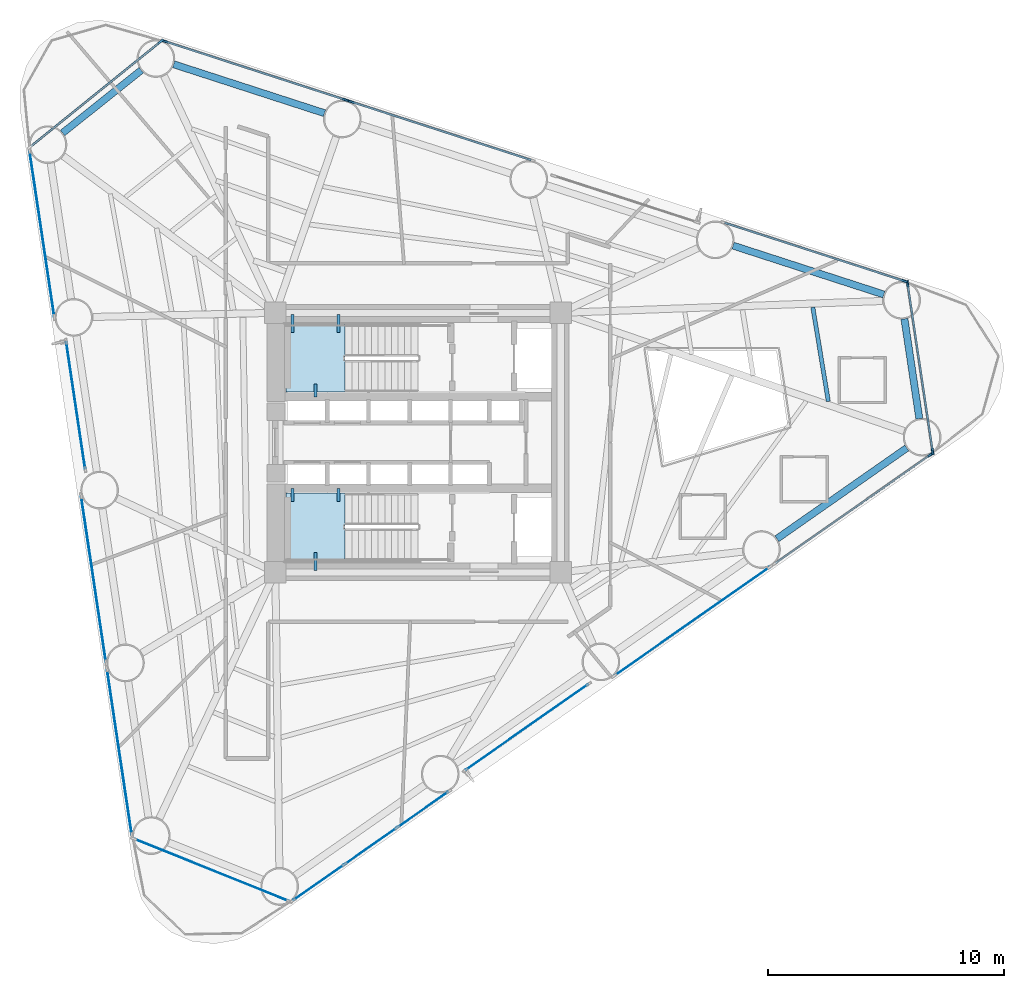
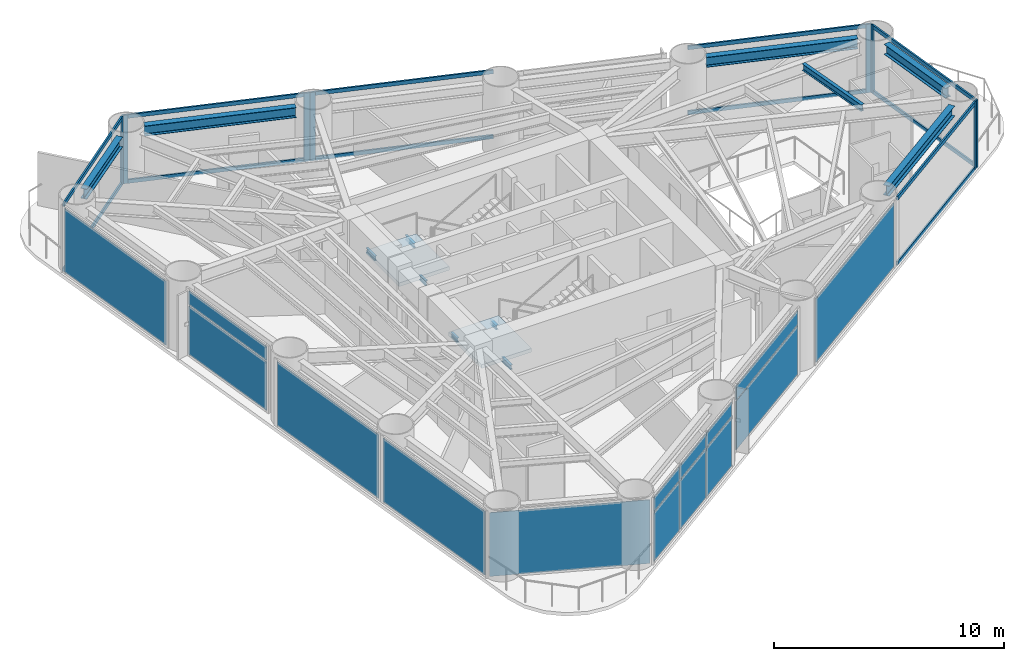
# One storey, part 4 of 9: 20 members, 15 plates, 12 beams, 2 slabs, 16 elements without a shape of their own.
"""IFC4 building model written with IfcOpenShell, lengths in metres."""

from ifc_helpers import new_model, si_unit, direction, frame, origin, origin_2d, place, context, subcontext, project, spatial, polyline, rectangle, i_section, outline, extrude, source, transform, mapped, material, layer, layer_set, material_profile, profile_set, type_object, element, aggregate, save


model = new_model("IFC4")

# Units and contexts
model_context = context("Model", 3, precision=1e-05, world=origin(), true_north=direction((0.0, 1.0)))
body_context = subcontext(model_context, "Body", "Model", "MODEL_VIEW")
ifc_project = project(units=[si_unit("LENGTHUNIT", "METRE"), si_unit("AREAUNIT", "SQUARE_METRE"), si_unit("VOLUMEUNIT", "CUBIC_METRE"), si_unit("PLANEANGLEUNIT", "RADIAN"), si_unit("MASSUNIT", "GRAM", prefix="KILO")], contexts=[model_context])

# Site, building, storey
site_placement = place(None, origin())
site = spatial("IfcSite", under=ifc_project, at=site_placement, CompositionType="ELEMENT")
building_placement = place(site_placement, origin())
building = spatial("IfcBuilding", under=site, at=building_placement, Name="Yunling Apex Tower", CompositionType="ELEMENT")
storey_placement = place(building_placement, frame((0.0, 0.0, 81.050048828125)))
storey = spatial("IfcBuildingStorey", under=building, at=storey_placement, Name="L21", CompositionType="ELEMENT", Elevation=81.050048828125)

# Beams
ifc_material_1 = material(Name="Steel Q355B", Category="steel")
ifc_material_profile_1 = material_profile(ifc_material_1, i_section(OverallWidth=0.125, OverallDepth=0.25, WebThickness=0.006103515625, FlangeThickness=0.009033203125, FilletRadius=0.011962890625, at=origin_2d()))
ifc_profile_set_1 = profile_set([ifc_material_profile_1], Name="Steel Q355B")
beam_type_1 = type_object("IfcBeamType", Name="BL-LNT-1", PredefinedType="LINTEL", material=ifc_profile_set_1)
shared_shape_1 = source(origin(), body_context, "Body", "SweptSolid", [
    extrude(i_section(OverallWidth=0.125, OverallDepth=0.25, WebThickness=0.006103515625, FlangeThickness=0.009033203125, FilletRadius=0.011962890625, at=origin_2d()), origin(), (0.0, 0.0, 1.0), 0.760009765625),
])
for number, where, z_axis, x_axis, name in (
    (1, (-5.320068359375, 5.419921875, 1.554931640625), (0.0, -1.0, 0.0), (1.0, 0.0, 0.0), "L21 ST-1 Landing Bearing Corbel 1-1"),
    (2, (-3.3701171875, 5.419921875, 1.554931640625), (0.0, -1.0, 0.0), (1.0, 0.0, 0.0), "L21 ST-1 Landing Bearing Corbel 1-2"),
    (3, (-4.344970703125, -5.419921875, 1.554931640625), (0.0, 1.0, 0.0), (-1.0, 0.0, 0.0), "L21 ST-2 Landing Bearing Corbel 1-3"),
):
    element("IfcBeam", number, at=place(storey_placement, frame(where, z_axis=z_axis, x_axis=x_axis)), inside=storey, type_object=beam_type_1, Name=name, PredefinedType="LINTEL", context=body_context, shape_type="MappedRepresentation", body=[
        mapped(shared_shape_1, transform((0.0, 0.0, 0.0), scale=1.0)),
    ])
shared_shape_2 = source(origin(), body_context, "Body", "SweptSolid", [
    extrude(i_section(OverallWidth=0.125, OverallDepth=0.25, WebThickness=0.006103515625, FlangeThickness=0.009033203125, FilletRadius=0.011962890625, at=origin_2d()), origin(), (0.0, 0.0, 1.0), 0.550048828125),
])
for number, where, z_axis, x_axis, name in (
    (4, (-4.344970703125, 1.93994140625, 1.554931640625), (0.0, 1.0, 0.0), (-1.0, 0.0, 0.0), "L21 ST-1 Landing Bearing Corbel 1-3"),
    (5, (-5.320068359375, -1.93994140625, 1.554931640625), (0.0, -1.0, 0.0), (1.0, 0.0, 0.0), "L21 ST-2 Landing Bearing Corbel 1-1"),
    (6, (-3.3701171875, -1.93994140625, 1.554931640625), (0.0, -1.0, 0.0), (1.0, 0.0, 0.0), "L21 ST-2 Landing Bearing Corbel 1-2"),
):
    element("IfcBeam", number, at=place(storey_placement, frame(where, z_axis=z_axis, x_axis=x_axis)), inside=storey, type_object=beam_type_1, Name=name, PredefinedType="LINTEL", context=body_context, shape_type="MappedRepresentation", body=[
        mapped(shared_shape_2, transform((0.0, 0.0, 0.0), scale=1.0)),
    ])
ifc_material_profile_2 = material_profile(ifc_material_1, i_section(OverallWidth=0.300048828125, OverallDepth=0.5400390625, WebThickness=0.011962890625, FlangeThickness=0.02001953125, FilletRadius=0.02392578125, at=origin_2d()))
ifc_profile_set_2 = profile_set([ifc_material_profile_2], Name="Steel Q355B")
beam_type_2 = type_object("IfcBeamType", Name="BP-SPN-1", PredefinedType="SPANDREL", material=ifc_profile_set_2)
shared_shape_3 = source(origin(), body_context, "Body", "SweptSolid", [
    extrude(i_section(OverallWidth=0.300048828125, OverallDepth=0.5400390625, WebThickness=0.011962890625, FlangeThickness=0.02001953125, FilletRadius=0.02392578125, at=origin_2d()), origin(), (0.0, 0.0, 1.0), 6.721435546875),
])
for number, where, z_axis, x_axis, name in (
    (7, (15.212158203125, -4.08056640625, 3.260009765625), (0.81955772083, 0.572996633697, 0.0), (-0.572996633697, 0.81955772083, 0.0), "L21 Perimeter Spandrel Beam 4"),
    (8, (19.748291015625, 6.277099609375, 3.260009765625), (-0.95126256707, 0.308382114415, 0.0), (-0.308382114415, -0.95126256707, 0.0), "L21 Perimeter Spandrel Beam 6"),
    (9, (-3.96484375, 13.9638671875, 3.260009765625), (-0.95126256707, 0.308382114415, 0.0), (-0.308382114415, -0.95126256707, 0.0), "L21 Perimeter Spandrel Beam 9"),
):
    element("IfcBeam", number, at=place(storey_placement, frame(where, z_axis=z_axis, x_axis=x_axis)), inside=storey, type_object=beam_type_2, Name=name, PredefinedType="SPANDREL", context=body_context, shape_type="MappedRepresentation", body=[
        mapped(shared_shape_3, transform((0.0, 0.0, 0.0), scale=1.0)),
    ])
shared_shape_4 = source(origin(), body_context, "Body", "SweptSolid", [
    extrude(i_section(OverallWidth=0.300048828125, OverallDepth=0.5400390625, WebThickness=0.011962890625, FlangeThickness=0.02001953125, FilletRadius=0.02392578125, at=origin_2d()), origin(), (0.0, 0.0, 1.0), 4.283203125),
])
beam_1_placement = place(storey_placement, frame((21.25390625, 1.010986328125, 3.260009765625), z_axis=(-0.147802479388, 0.989016899293, 0.0), x_axis=(-0.989016899293, -0.147802479388, 0.0)))
element("IfcBeam", 10, at=beam_1_placement, inside=storey, type_object=beam_type_2, Name="L21 Perimeter Spandrel Beam 5", PredefinedType="SPANDREL", context=body_context, shape_type="MappedRepresentation", body=[
    mapped(shared_shape_4, transform((0.0, 0.0, 0.0), scale=1.0)),
])
shared_shape_5 = source(origin(), body_context, "Body", "SweptSolid", [
    extrude(i_section(OverallWidth=0.300048828125, OverallDepth=0.5400390625, WebThickness=0.011962890625, FlangeThickness=0.02001953125, FilletRadius=0.02392578125, at=origin_2d()), origin(), (0.0, 0.0, 1.0), 4.265869140625),
])
beam_2_placement = place(storey_placement, frame((-11.734619140625, 15.785888671875, 3.260009765625), z_axis=(-0.781560697893, -0.623829203796, 0.0), x_axis=(0.623829203796, -0.781560697893, 0.0)))
element("IfcBeam", 11, at=beam_2_placement, inside=storey, type_object=beam_type_2, Name="L21 Perimeter Spandrel Beam 10", PredefinedType="SPANDREL", context=body_context, shape_type="MappedRepresentation", body=[
    mapped(shared_shape_5, transform((0.0, 0.0, 0.0), scale=1.0)),
])
ifc_material_profile_3 = material_profile(ifc_material_1, i_section(OverallWidth=0.175048828125, OverallDepth=0.35009765625, WebThickness=0.007080078125, FlangeThickness=0.010986328125, FilletRadius=0.013916015625, at=origin_2d()))
ifc_profile_set_3 = profile_set([ifc_material_profile_3], Name="Steel Q355B")
beam_type_3 = type_object("IfcBeamType", Name="BJ-JST-1", PredefinedType="JOIST", material=ifc_profile_set_3)
shared_shape_6 = source(origin(), body_context, "Body", "SweptSolid", [
    extrude(i_section(OverallWidth=0.175048828125, OverallDepth=0.35009765625, WebThickness=0.007080078125, FlangeThickness=0.010986328125, FilletRadius=0.013916015625, at=origin_2d()), origin(), (0.0, 0.0, 1.0), 4.045166015625),
])
beam_3_placement = place(storey_placement, frame((17.395263671875, 1.743408203125, 3.35498046875), z_axis=(-0.162588151876, 0.986694021908, 0.0), x_axis=(-0.986694021908, -0.162588151876, 0.0)))
element("IfcBeam", 12, at=beam_3_placement, inside=storey, type_object=beam_type_3, Name="L21 Composite Floor Joist BJ1-5", PredefinedType="JOIST", context=body_context, shape_type="MappedRepresentation", body=[
    mapped(shared_shape_6, transform((0.0, 0.0, 0.0), scale=1.0)),
])

# Curtain wall, members
ifc_material_2 = material(Name="Bronze anodised aluminium", Category="aluminium")
ifc_layer_1 = layer(ifc_material_2, 0.260009765625)
ifc_layer_set_1 = layer_set([ifc_layer_1], Name="Bronze anodised aluminium")
curtain_wall_type = type_object("IfcCurtainWallType", Name="CW-SYS-2", PredefinedType="NOTDEFINED", material=ifc_layer_set_1)
curtain_wall_1_placement = place(storey_placement, origin())
curtain_wall_1 = element("IfcCurtainWall", 13, at=curtain_wall_1_placement, inside=storey, type_object=curtain_wall_type, Name="CW-L21-F1-B4", PredefinedType="NOTDEFINED")
ifc_material_profile_4 = material_profile(ifc_material_2, rectangle(XDim=0.0849609375, YDim=0.199951171875, at=origin_2d()))
ifc_profile_set_4 = profile_set([ifc_material_profile_4], Name="Bronze anodised aluminium")
member_type_1 = type_object("IfcMemberType", Name="CW-TRN-2", PredefinedType="USERDEFINED", material=ifc_profile_set_4)
shared_shape_7 = source(origin(), body_context, "Body", "SweptSolid", [
    extrude(rectangle(XDim=0.0849609375, YDim=0.199951171875, at=origin_2d()), origin(), (0.0, 0.0, 1.0), 7.98779296875),
])
member_1_placement = place(storey_placement, frame((15.1572265625, -5.107177734375, 0.04248046875), z_axis=(0.819559176955, 0.572994550995, 0.0), x_axis=(-0.572994550995, 0.819559176955, 0.0)))
member_1 = element("IfcMember", 14, at=member_1_placement, type_object=member_type_1, Name="CW-SYS-2 transom 1.1", ObjectType="TRANSOM", PredefinedType="USERDEFINED", context=body_context, shape_type="MappedRepresentation", body=[
    mapped(shared_shape_7, transform((0.0, 0.0, 0.0), scale=1.0)),
])
member_2_placement = place(storey_placement, frame((15.1572265625, -5.107177734375, 3.487548828125), z_axis=(0.819559176955, 0.572994550995, 0.0), x_axis=(-0.572994550995, 0.819559176955, 0.0)))
member_2 = element("IfcMember", 15, at=member_2_placement, type_object=member_type_1, Name="CW-SYS-2 transom 1.2", ObjectType="TRANSOM", PredefinedType="USERDEFINED", context=body_context, shape_type="MappedRepresentation", body=[
    mapped(shared_shape_7, transform((0.0, 0.0, 0.0), scale=1.0)),
])

curtain_wall_2_placement = place(storey_placement, origin())
curtain_wall_2 = element("IfcCurtainWall", 16, at=curtain_wall_2_placement, inside=storey, type_object=curtain_wall_type, Name="CW-L21-F2-B1", PredefinedType="NOTDEFINED")
member_3_placement = place(storey_placement, frame((20.600341796875, 6.8525390625, 0.04248046875), z_axis=(-0.951270077756, 0.308358945331, 0.0), x_axis=(-0.308358945331, -0.951270077756, 0.0)))
member_3 = element("IfcMember", 17, at=member_3_placement, type_object=member_type_1, Name="CW-SYS-2 transom 1.1", ObjectType="TRANSOM", PredefinedType="USERDEFINED", context=body_context, shape_type="MappedRepresentation", body=[
    mapped(shared_shape_7, transform((0.0, 0.0, 0.0), scale=1.0)),
])
member_4_placement = place(storey_placement, frame((20.600341796875, 6.8525390625, 3.487548828125), z_axis=(-0.951270077756, 0.308358945331, 0.0), x_axis=(-0.308358945331, -0.951270077756, 0.0)))
member_4 = element("IfcMember", 18, at=member_4_placement, type_object=member_type_1, Name="CW-SYS-2 transom 1.2", ObjectType="TRANSOM", PredefinedType="USERDEFINED", context=body_context, shape_type="MappedRepresentation", body=[
    mapped(shared_shape_7, transform((0.0, 0.0, 0.0), scale=1.0)),
])

curtain_wall_3_placement = place(storey_placement, origin())
curtain_wall_3 = element("IfcCurtainWall", 19, at=curtain_wall_3_placement, inside=storey, type_object=curtain_wall_type, Name="CW-L21-F2-B3", PredefinedType="NOTDEFINED")
member_5_placement = place(storey_placement, frame((4.79150390625, 11.976806640625, 0.04248046875), z_axis=(-0.951258205262, 0.308395568907, 0.0), x_axis=(-0.308395568907, -0.951258205262, 0.0)))
member_5 = element("IfcMember", 20, at=member_5_placement, type_object=member_type_1, Name="CW-SYS-2 transom 1.1", ObjectType="TRANSOM", PredefinedType="USERDEFINED", context=body_context, shape_type="MappedRepresentation", body=[
    mapped(shared_shape_7, transform((0.0, 0.0, 0.0), scale=1.0)),
])
member_6_placement = place(storey_placement, frame((4.79150390625, 11.976806640625, 3.487548828125), z_axis=(-0.951258205262, 0.308395568907, 0.0), x_axis=(-0.308395568907, -0.951258205262, 0.0)))
member_6 = element("IfcMember", 21, at=member_6_placement, type_object=member_type_1, Name="CW-SYS-2 transom 1.2", ObjectType="TRANSOM", PredefinedType="USERDEFINED", context=body_context, shape_type="MappedRepresentation", body=[
    mapped(shared_shape_7, transform((0.0, 0.0, 0.0), scale=1.0)),
])

curtain_wall_4_placement = place(storey_placement, origin())
curtain_wall_4 = element("IfcCurtainWall", 22, at=curtain_wall_4_placement, inside=storey, type_object=curtain_wall_type, Name="CW-L21-F2-B4", PredefinedType="NOTDEFINED")
member_7_placement = place(storey_placement, frame((-3.11279296875, 14.539306640625, 0.04248046875), z_axis=(-0.951279042821, 0.308331287237, 0.0), x_axis=(-0.308331287237, -0.951279042821, 0.0)))
member_7 = element("IfcMember", 23, at=member_7_placement, type_object=member_type_1, Name="CW-SYS-2 transom 1.1", ObjectType="TRANSOM", PredefinedType="USERDEFINED", context=body_context, shape_type="MappedRepresentation", body=[
    mapped(shared_shape_7, transform((0.0, 0.0, 0.0), scale=1.0)),
])
member_8_placement = place(storey_placement, frame((-3.11279296875, 14.539306640625, 3.487548828125), z_axis=(-0.951279042821, 0.308331287237, 0.0), x_axis=(-0.308331287237, -0.951279042821, 0.0)))
member_8 = element("IfcMember", 24, at=member_8_placement, type_object=member_type_1, Name="CW-SYS-2 transom 1.2", ObjectType="TRANSOM", PredefinedType="USERDEFINED", context=body_context, shape_type="MappedRepresentation", body=[
    mapped(shared_shape_7, transform((0.0, 0.0, 0.0), scale=1.0)),
])

curtain_wall_5_placement = place(storey_placement, origin())
curtain_wall_5 = element("IfcCurtainWall", 25, at=curtain_wall_5_placement, inside=storey, type_object=curtain_wall_type, Name="CW-L21-CRN1", PredefinedType="NOTDEFINED")
shared_shape_8 = source(origin(), body_context, "Body", "SweptSolid", [
    extrude(rectangle(XDim=0.0849609375, YDim=0.199951171875, at=origin_2d()), origin(), (0.0, 0.0, 1.0), 7.1240234375),
])
member_9_placement = place(storey_placement, frame((21.81201171875, -0.341796875, 0.04248046875), z_axis=(-0.147804185278, 0.989016644357, 0.0), x_axis=(-0.989016644357, -0.147804185278, 0.0)))
member_9 = element("IfcMember", 26, at=member_9_placement, type_object=member_type_1, Name="CW-SYS-2 transom 1.1", ObjectType="TRANSOM", PredefinedType="USERDEFINED", context=body_context, shape_type="MappedRepresentation", body=[
    mapped(shared_shape_8, transform((0.0, 0.0, 0.0), scale=1.0)),
])
member_10_placement = place(storey_placement, frame((21.81201171875, -0.341796875, 3.487548828125), z_axis=(-0.147804185278, 0.989016644357, 0.0), x_axis=(-0.989016644357, -0.147804185278, 0.0)))
member_10 = element("IfcMember", 27, at=member_10_placement, type_object=member_type_1, Name="CW-SYS-2 transom 1.2", ObjectType="TRANSOM", PredefinedType="USERDEFINED", context=body_context, shape_type="MappedRepresentation", body=[
    mapped(shared_shape_8, transform((0.0, 0.0, 0.0), scale=1.0)),
])

curtain_wall_6_placement = place(storey_placement, origin())
curtain_wall_6 = element("IfcCurtainWall", 28, at=curtain_wall_6_placement, inside=storey, type_object=curtain_wall_type, Name="CW-L21-CRN2", PredefinedType="NOTDEFINED")
shared_shape_9 = source(origin(), body_context, "Body", "SweptSolid", [
    extrude(rectangle(XDim=0.0849609375, YDim=0.199951171875, at=origin_2d()), origin(), (0.0, 0.0, 1.0), 7.03515625),
])
member_11_placement = place(storey_placement, frame((-10.933349609375, 16.982177734375, 0.04248046875), z_axis=(-0.778142739989, -0.628087474961, 0.0), x_axis=(0.628087474961, -0.778142739989, 0.0)))
member_11 = element("IfcMember", 29, at=member_11_placement, type_object=member_type_1, Name="CW-SYS-2 transom 1.1", ObjectType="TRANSOM", PredefinedType="USERDEFINED", context=body_context, shape_type="MappedRepresentation", body=[
    mapped(shared_shape_9, transform((0.0, 0.0, 0.0), scale=1.0)),
])
member_12_placement = place(storey_placement, frame((-10.933349609375, 16.982177734375, 3.487548828125), z_axis=(-0.778142739989, -0.628087474961, 0.0), x_axis=(0.628087474961, -0.778142739989, 0.0)))
member_12 = element("IfcMember", 30, at=member_12_placement, type_object=member_type_1, Name="CW-SYS-2 transom 1.2", ObjectType="TRANSOM", PredefinedType="USERDEFINED", context=body_context, shape_type="MappedRepresentation", body=[
    mapped(shared_shape_9, transform((0.0, 0.0, 0.0), scale=1.0)),
])

# Member
ifc_material_profile_5 = material_profile(ifc_material_2, rectangle(XDim=0.0849609375, YDim=0.260009765625, at=origin_2d()))
ifc_profile_set_5 = profile_set([ifc_material_profile_5], Name="Bronze anodised aluminium")
member_type_2 = type_object("IfcMemberType", Name="CW-MUL-2", PredefinedType="MULLION", material=ifc_profile_set_5)
shared_shape_10 = source(origin(), body_context, "Body", "SweptSolid", [
    extrude(rectangle(XDim=0.0849609375, YDim=0.260009765625, at=origin_2d()), origin(), (0.0, 0.0, 1.0), 3.6298828125),
])
member_13_placement = place(storey_placement, frame((21.735107421875, -0.50830078125, -0.050048828125), z_axis=(0.0, 0.0, 1.0), x_axis=(-0.573004358875, 0.819552319691, 0.0)))
member_13 = element("IfcMember", 31, at=member_13_placement, type_object=member_type_2, Name="CW-SYS-2 mullion 2", PredefinedType="MULLION", context=body_context, shape_type="MappedRepresentation", body=[
    mapped(shared_shape_10, transform((0.0, 0.0, 0.0), scale=1.0)),
])

aggregate(curtain_wall_1, [member_13, member_1, member_2])

member_14_placement = place(storey_placement, frame((21.817626953125, -0.379638671875, -0.050048828125), z_axis=(0.0, 0.0, 1.0), x_axis=(-0.989017551472, -0.147798115278, 0.0)))
member_14 = element("IfcMember", 32, at=member_14_placement, type_object=member_type_2, Name="CW-SYS-2 mullion 1", PredefinedType="MULLION", context=body_context, shape_type="MappedRepresentation", body=[
    mapped(shared_shape_10, transform((0.0, 0.0, 0.0), scale=1.0)),
])

member_15_placement = place(storey_placement, frame((20.75341796875, 6.741943359375, -0.050048828125), z_axis=(0.0, 0.0, 1.0), x_axis=(-0.989017551472, -0.147798115278, 0.0)))
member_15 = element("IfcMember", 33, at=member_15_placement, type_object=member_type_2, Name="CW-SYS-2 mullion 2", PredefinedType="MULLION", context=body_context, shape_type="MappedRepresentation", body=[
    mapped(shared_shape_10, transform((0.0, 0.0, 0.0), scale=1.0)),
])

aggregate(curtain_wall_5, [member_14, member_15, member_9, member_10])

member_16_placement = place(storey_placement, frame((20.63671875, 6.8408203125, -0.050048828125), z_axis=(0.0, 0.0, 1.0), x_axis=(-0.30835735341, -0.951270593784, 0.0)))
member_16 = element("IfcMember", 34, at=member_16_placement, type_object=member_type_2, Name="CW-SYS-2 mullion 1", PredefinedType="MULLION", context=body_context, shape_type="MappedRepresentation", body=[
    mapped(shared_shape_10, transform((0.0, 0.0, 0.0), scale=1.0)),
])

aggregate(curtain_wall_2, [member_16, member_3, member_4])

member_17_placement = place(storey_placement, frame((-2.84326171875, 14.451904296875, -0.050048828125), z_axis=(0.0, 0.0, 1.0), x_axis=(-0.308368457544, -0.951266994272, 0.0)))
member_17 = element("IfcMember", 35, at=member_17_placement, type_object=member_type_2, Name="CW-SYS-2 mullion 2", PredefinedType="MULLION", context=body_context, shape_type="MappedRepresentation", body=[
    mapped(shared_shape_10, transform((0.0, 0.0, 0.0), scale=1.0)),
])

aggregate(curtain_wall_3, [member_17, member_5, member_6])

member_18_placement = place(storey_placement, frame((-3.076416015625, 14.52734375, -0.050048828125), z_axis=(0.0, 0.0, 1.0), x_axis=(-0.30835735341, -0.951270593784, 0.0)))
member_18 = element("IfcMember", 36, at=member_18_placement, type_object=member_type_2, Name="CW-SYS-2 mullion 1", PredefinedType="MULLION", context=body_context, shape_type="MappedRepresentation", body=[
    mapped(shared_shape_10, transform((0.0, 0.0, 0.0), scale=1.0)),
])

member_19_placement = place(storey_placement, frame((-10.747802734375, 17.01416015625, -0.050048828125), z_axis=(0.0, 0.0, 1.0), x_axis=(-0.30835735341, -0.951270593784, 0.0)))
member_19 = element("IfcMember", 37, at=member_19_placement, type_object=member_type_2, Name="CW-SYS-2 mullion 2", PredefinedType="MULLION", context=body_context, shape_type="MappedRepresentation", body=[
    mapped(shared_shape_10, transform((0.0, 0.0, 0.0), scale=1.0)),
])

aggregate(curtain_wall_4, [member_18, member_19, member_7, member_8])

member_20_placement = place(storey_placement, frame((-10.903564453125, 17.006103515625, -0.050048828125), z_axis=(0.0, 0.0, 1.0), x_axis=(0.628079941911, -0.778148820322, 0.0)))
member_20 = element("IfcMember", 38, at=member_20_placement, type_object=member_type_2, Name="CW-SYS-2 mullion 1", PredefinedType="MULLION", context=body_context, shape_type="MappedRepresentation", body=[
    mapped(shared_shape_10, transform((0.0, 0.0, 0.0), scale=1.0)),
])

aggregate(curtain_wall_6, [member_20, member_11, member_12])

# Stair, slab
ifc_material_3 = material(Name="Concrete C40", Category="concrete")
stair_type = type_object("IfcStairType", Name="ST-TWR-1", PredefinedType="HALF_TURN_STAIR", material=ifc_material_3)
stair_1_placement = place(storey_placement, origin())
stair_1 = element("IfcStair", 39, at=stair_1_placement, inside=storey, type_object=stair_type, Name="L21 North Core Smokeproof Exit Stair ST-1", PredefinedType="HALF_TURN_STAIR")
ifc_layer_2 = layer(ifc_material_3, 0.195068359375)
ifc_layer_set_2 = layer_set([ifc_layer_2], Name="Concrete C40")
slab_type = type_object("IfcSlabType", Name="SL-LND-1", PredefinedType="LANDING", material=ifc_layer_set_2)
slab_1_placement = place(storey_placement, frame((0.0, 0.0, 1.679931640625)))
slab_1 = element("IfcSlab", 40, at=slab_1_placement, type_object=slab_type, Name="ST-1 landing 1", PredefinedType="LANDING", context=body_context, shape_type="SweptSolid", body=[
    extrude(outline(polyline([(-3.090087890625, 5.010009765625), (-5.60009765625, 5.010009765625), (-5.60009765625, 2.139892578125), (-3.090087890625, 2.139892578125), (-3.090087890625, 5.010009765625)])), origin(), (0.0, 0.0, 1.0), 0.195068359375),
])
aggregate(stair_1, [slab_1])

stair_2_placement = place(storey_placement, origin())
stair_2 = element("IfcStair", 41, at=stair_2_placement, inside=storey, type_object=stair_type, Name="L21 South Core Smokeproof Exit Stair ST-2", PredefinedType="HALF_TURN_STAIR")
slab_2_placement = place(storey_placement, frame((0.0, 0.0, 1.679931640625)))
slab_2 = element("IfcSlab", 42, at=slab_2_placement, type_object=slab_type, Name="ST-2 landing 1", PredefinedType="LANDING", context=body_context, shape_type="SweptSolid", body=[
    extrude(outline(polyline([(-3.090087890625, -2.139892578125), (-5.60009765625, -2.139892578125), (-5.60009765625, -5.010009765625), (-3.090087890625, -5.010009765625), (-3.090087890625, -2.139892578125)])), origin(), (0.0, 0.0, 1.0), 0.195068359375),
])
aggregate(stair_2, [slab_2])

# Curtain wall, plates
curtain_wall_7_placement = place(storey_placement, origin())
curtain_wall_7 = element("IfcCurtainWall", 43, at=curtain_wall_7_placement, inside=storey, type_object=curtain_wall_type, Name="CW-L21-F1-B1", PredefinedType="NOTDEFINED")
ifc_material_4 = material(Name="Bronze tinted low-E glass", Category="glass")
ifc_layer_3 = layer(ifc_material_4, 0.033935546875)
ifc_layer_set_3 = layer_set([ifc_layer_3], Name="Bronze tinted low-E glass")
plate_type = type_object("IfcPlateType", Name="CW-PNL-2", PredefinedType="CURTAIN_PANEL", material=ifc_layer_set_3)
shared_shape_11 = source(origin(), body_context, "Body", "SweptSolid", [
    extrude(rectangle(XDim=2.60546875, YDim=0.033935546875, at=origin_2d()), origin(), (0.0, 0.0, 1.0), 2.57177734375),
])
plate_1_placement = place(storey_placement, frame((-4.2080078125, -18.64697265625, 0.07666015625), z_axis=(0.0, 0.0, 1.0), x_axis=(0.819552319691, 0.573004358875, 0.0)))
plate_1 = element("IfcPlate", 44, at=plate_1_placement, type_object=plate_type, Name="CW-SYS-2 panel 1.1", PredefinedType="CURTAIN_PANEL", context=body_context, shape_type="MappedRepresentation", body=[
    mapped(shared_shape_11, transform((0.0, 0.0, 0.0), scale=1.0)),
])
plate_2_placement = place(storey_placement, frame((0.209716796875, -15.55810546875, 0.07666015625), z_axis=(0.0, 0.0, 1.0), x_axis=(0.819552319691, 0.573004358875, 0.0)))
plate_2 = element("IfcPlate", 45, at=plate_2_placement, type_object=plate_type, Name="CW-SYS-2 panel 3.1", PredefinedType="CURTAIN_PANEL", context=body_context, shape_type="MappedRepresentation", body=[
    mapped(shared_shape_11, transform((0.0, 0.0, 0.0), scale=1.0)),
])
shared_shape_12 = source(origin(), body_context, "Body", "SweptSolid", [
    extrude(rectangle(XDim=2.60546875, YDim=0.033935546875, at=origin_2d()), origin(), (0.0, 0.0, 1.0), 0.736083984375),
])
plate_3_placement = place(storey_placement, frame((-4.2080078125, -18.64697265625, 2.71728515625), z_axis=(0.0, 0.0, 1.0), x_axis=(0.819552319691, 0.573004358875, 0.0)))
plate_3 = element("IfcPlate", 46, at=plate_3_placement, type_object=plate_type, Name="CW-SYS-2 panel 1.2", PredefinedType="CURTAIN_PANEL", context=body_context, shape_type="MappedRepresentation", body=[
    mapped(shared_shape_12, transform((0.0, 0.0, 0.0), scale=1.0)),
])
plate_4_placement = place(storey_placement, frame((0.209716796875, -15.55810546875, 2.71728515625), z_axis=(0.0, 0.0, 1.0), x_axis=(0.819552319691, 0.573004358875, 0.0)))
plate_4 = element("IfcPlate", 47, at=plate_4_placement, type_object=plate_type, Name="CW-SYS-2 panel 3.2", PredefinedType="CURTAIN_PANEL", context=body_context, shape_type="MappedRepresentation", body=[
    mapped(shared_shape_12, transform((0.0, 0.0, 0.0), scale=1.0)),
])
shared_shape_13 = source(origin(), body_context, "Body", "SweptSolid", [
    extrude(rectangle(XDim=2.64794921875, YDim=0.033935546875, at=origin_2d()), origin(), (0.0, 0.0, 1.0), 2.57177734375),
])
plate_5_placement = place(storey_placement, frame((-1.9990234375, -17.1025390625, 0.07666015625), z_axis=(0.0, 0.0, 1.0), x_axis=(0.819552319691, 0.573004358875, 0.0)))
plate_5 = element("IfcPlate", 48, at=plate_5_placement, type_object=plate_type, Name="CW-SYS-2 panel 2.1", PredefinedType="CURTAIN_PANEL", context=body_context, shape_type="MappedRepresentation", body=[
    mapped(shared_shape_13, transform((0.0, 0.0, 0.0), scale=1.0)),
])
shared_shape_14 = source(origin(), body_context, "Body", "SweptSolid", [
    extrude(rectangle(XDim=2.64794921875, YDim=0.033935546875, at=origin_2d()), origin(), (0.0, 0.0, 1.0), 0.736083984375),
])
plate_6_placement = place(storey_placement, frame((-1.9990234375, -17.1025390625, 2.71728515625), z_axis=(0.0, 0.0, 1.0), x_axis=(0.819552319691, 0.573004358875, 0.0)))
plate_6 = element("IfcPlate", 49, at=plate_6_placement, type_object=plate_type, Name="CW-SYS-2 panel 2.2", PredefinedType="CURTAIN_PANEL", context=body_context, shape_type="MappedRepresentation", body=[
    mapped(shared_shape_14, transform((0.0, 0.0, 0.0), scale=1.0)),
])
aggregate(curtain_wall_7, [plate_1, plate_3, plate_5, plate_6, plate_2, plate_4])

curtain_wall_8_placement = place(storey_placement, origin())
curtain_wall_8 = element("IfcCurtainWall", 50, at=curtain_wall_8_placement, inside=storey, type_object=curtain_wall_type, Name="CW-L21-F1-B2", PredefinedType="NOTDEFINED")
shared_shape_15 = source(origin(), body_context, "Body", "SweptSolid", [
    extrude(rectangle(XDim=6.315673828125, YDim=0.033935546875, at=origin_2d()), origin(), (0.0, 0.0, 1.0), 2.57177734375),
])
plate_7_placement = place(storey_placement, frame((4.615966796875, -12.0625, 0.07666015625), z_axis=(0.0, 0.0, 1.0), x_axis=(0.819553499175, 0.573002671888, 0.0)))
plate_7 = element("IfcPlate", 51, at=plate_7_placement, type_object=plate_type, Name="CW-SYS-2 panel 1.1", PredefinedType="CURTAIN_PANEL", context=body_context, shape_type="MappedRepresentation", body=[
    mapped(shared_shape_15, transform((0.0, 0.0, 0.0), scale=1.0)),
])
shared_shape_16 = source(origin(), body_context, "Body", "SweptSolid", [
    extrude(rectangle(XDim=6.315673828125, YDim=0.033935546875, at=origin_2d()), origin(), (0.0, 0.0, 1.0), 0.736083984375),
])
plate_8_placement = place(storey_placement, frame((4.615966796875, -12.0625, 2.71728515625), z_axis=(0.0, 0.0, 1.0), x_axis=(0.819553499175, 0.573002671888, 0.0)))
plate_8 = element("IfcPlate", 52, at=plate_8_placement, type_object=plate_type, Name="CW-SYS-2 panel 1.2", PredefinedType="CURTAIN_PANEL", context=body_context, shape_type="MappedRepresentation", body=[
    mapped(shared_shape_16, transform((0.0, 0.0, 0.0), scale=1.0)),
])
aggregate(curtain_wall_8, [plate_7, plate_8])

# Curtain wall, plate
curtain_wall_9_placement = place(storey_placement, origin())
curtain_wall_9 = element("IfcCurtainWall", 53, at=curtain_wall_9_placement, inside=storey, type_object=curtain_wall_type, Name="CW-L21-F1-B3", PredefinedType="NOTDEFINED")
shared_shape_17 = source(origin(), body_context, "Body", "SweptSolid", [
    extrude(rectangle(XDim=7.995849609375, YDim=0.033935546875, at=origin_2d()), origin(), (0.0, 0.0, 1.0), 3.37646484375),
])
plate_9_placement = place(storey_placement, frame((11.62060546875, -7.579833984375, 0.07666015625), z_axis=(0.0, 0.0, 1.0), x_axis=(0.819558082217, 0.572996116804, 0.0)))
plate_9 = element("IfcPlate", 54, at=plate_9_placement, type_object=plate_type, Name="CW-SYS-2 panel 1.1", PredefinedType="CURTAIN_PANEL", context=body_context, shape_type="MappedRepresentation", body=[
    mapped(shared_shape_17, transform((0.0, 0.0, 0.0), scale=1.0)),
])
aggregate(curtain_wall_9, [plate_9])

curtain_wall_10_placement = place(storey_placement, origin())
curtain_wall_10 = element("IfcCurtainWall", 55, at=curtain_wall_10_placement, inside=storey, type_object=curtain_wall_type, Name="CW-L21-CRN3", PredefinedType="NOTDEFINED")
shared_shape_18 = source(origin(), body_context, "Body", "SweptSolid", [
    extrude(rectangle(XDim=7.043212890625, YDim=0.033935546875, at=origin_2d()), origin(), (0.0, 0.0, 1.0), 3.37646484375),
])
plate_10_placement = place(storey_placement, frame((-8.75390625, -18.1240234375, 0.07666015625), z_axis=(0.0, 0.0, 1.0), x_axis=(0.927773562961, -0.373143693329, 0.0)))
plate_10 = element("IfcPlate", 56, at=plate_10_placement, type_object=plate_type, Name="CW-SYS-2 panel 1.1", PredefinedType="CURTAIN_PANEL", context=body_context, shape_type="MappedRepresentation", body=[
    mapped(shared_shape_18, transform((0.0, 0.0, 0.0), scale=1.0)),
])
aggregate(curtain_wall_10, [plate_10])

curtain_wall_11_placement = place(storey_placement, origin())
curtain_wall_11 = element("IfcCurtainWall", 57, at=curtain_wall_11_placement, inside=storey, type_object=curtain_wall_type, Name="CW-L21-F3-B1", PredefinedType="NOTDEFINED")
shared_shape_19 = source(origin(), body_context, "Body", "SweptSolid", [
    extrude(rectangle(XDim=7.091552734375, YDim=0.033935546875, at=origin_2d()), origin(), (0.0, 0.0, 1.0), 3.37646484375),
])
plate_11_placement = place(storey_placement, frame((-15.943115234375, 8.847900390625, 0.07666015625), z_axis=(0.0, 0.0, 1.0), x_axis=(0.147799122579, -0.989017400941, 0.0)))
plate_11 = element("IfcPlate", 58, at=plate_11_placement, type_object=plate_type, Name="CW-SYS-2 panel 1.1", PredefinedType="CURTAIN_PANEL", context=body_context, shape_type="MappedRepresentation", body=[
    mapped(shared_shape_19, transform((0.0, 0.0, 0.0), scale=1.0)),
])
aggregate(curtain_wall_11, [plate_11])

# Curtain wall, plates
curtain_wall_12_placement = place(storey_placement, origin())
curtain_wall_12 = element("IfcCurtainWall", 59, at=curtain_wall_12_placement, inside=storey, type_object=curtain_wall_type, Name="CW-L21-F3-B2", PredefinedType="NOTDEFINED")
shared_shape_20 = source(origin(), body_context, "Body", "SweptSolid", [
    extrude(rectangle(XDim=5.411376953125, YDim=0.033935546875, at=origin_2d()), origin(), (0.0, 0.0, 1.0), 2.57177734375),
])
plate_12_placement = place(storey_placement, frame((-14.51220703125, 1.57470703125, 0.07666015625), z_axis=(0.0, 0.0, 1.0), x_axis=(0.147800900076, -0.98901713531, 0.0)))
plate_12 = element("IfcPlate", 60, at=plate_12_placement, type_object=plate_type, Name="CW-SYS-2 panel 1.1", PredefinedType="CURTAIN_PANEL", context=body_context, shape_type="MappedRepresentation", body=[
    mapped(shared_shape_20, transform((0.0, 0.0, 0.0), scale=1.0)),
])
shared_shape_21 = source(origin(), body_context, "Body", "SweptSolid", [
    extrude(rectangle(XDim=5.411376953125, YDim=0.033935546875, at=origin_2d()), origin(), (0.0, 0.0, 1.0), 0.736083984375),
])
plate_13_placement = place(storey_placement, frame((-14.51220703125, 1.57470703125, 2.71728515625), z_axis=(0.0, 0.0, 1.0), x_axis=(0.147800900076, -0.98901713531, 0.0)))
plate_13 = element("IfcPlate", 61, at=plate_13_placement, type_object=plate_type, Name="CW-SYS-2 panel 1.2", PredefinedType="CURTAIN_PANEL", context=body_context, shape_type="MappedRepresentation", body=[
    mapped(shared_shape_21, transform((0.0, 0.0, 0.0), scale=1.0)),
])
aggregate(curtain_wall_12, [plate_12, plate_13])

# Curtain wall, plate
curtain_wall_13_placement = place(storey_placement, origin())
curtain_wall_13 = element("IfcCurtainWall", 62, at=curtain_wall_13_placement, inside=storey, type_object=curtain_wall_type, Name="CW-L21-F3-B3", PredefinedType="NOTDEFINED")
shared_shape_22 = source(origin(), body_context, "Body", "SweptSolid", [
    extrude(rectangle(XDim=7.09130859375, YDim=0.033935546875, at=origin_2d()), origin(), (0.0, 0.0, 1.0), 3.37646484375),
])
plate_14_placement = place(storey_placement, frame((-13.75390625, -5.799072265625, 0.07666015625), z_axis=(0.0, 0.0, 1.0), x_axis=(0.147814641525, -0.98901508166, 0.0)))
plate_14 = element("IfcPlate", 63, at=plate_14_placement, type_object=plate_type, Name="CW-SYS-2 panel 1.1", PredefinedType="CURTAIN_PANEL", context=body_context, shape_type="MappedRepresentation", body=[
    mapped(shared_shape_22, transform((0.0, 0.0, 0.0), scale=1.0)),
])
aggregate(curtain_wall_13, [plate_14])

curtain_wall_14_placement = place(storey_placement, origin())
curtain_wall_14 = element("IfcCurtainWall", 64, at=curtain_wall_14_placement, inside=storey, type_object=curtain_wall_type, Name="CW-L21-F3-B4", PredefinedType="NOTDEFINED")
plate_15_placement = place(storey_placement, frame((-12.659423828125, -13.12255859375, 0.07666015625), z_axis=(0.0, 0.0, 1.0), x_axis=(0.14780114022, -0.989017099422, 0.0)))
plate_15 = element("IfcPlate", 65, at=plate_15_placement, type_object=plate_type, Name="CW-SYS-2 panel 1.1", PredefinedType="CURTAIN_PANEL", context=body_context, shape_type="MappedRepresentation", body=[
    mapped(shared_shape_22, transform((0.0, 0.0, 0.0), scale=1.0)),
])
aggregate(curtain_wall_14, [plate_15])

save(model, "model.ifc")
